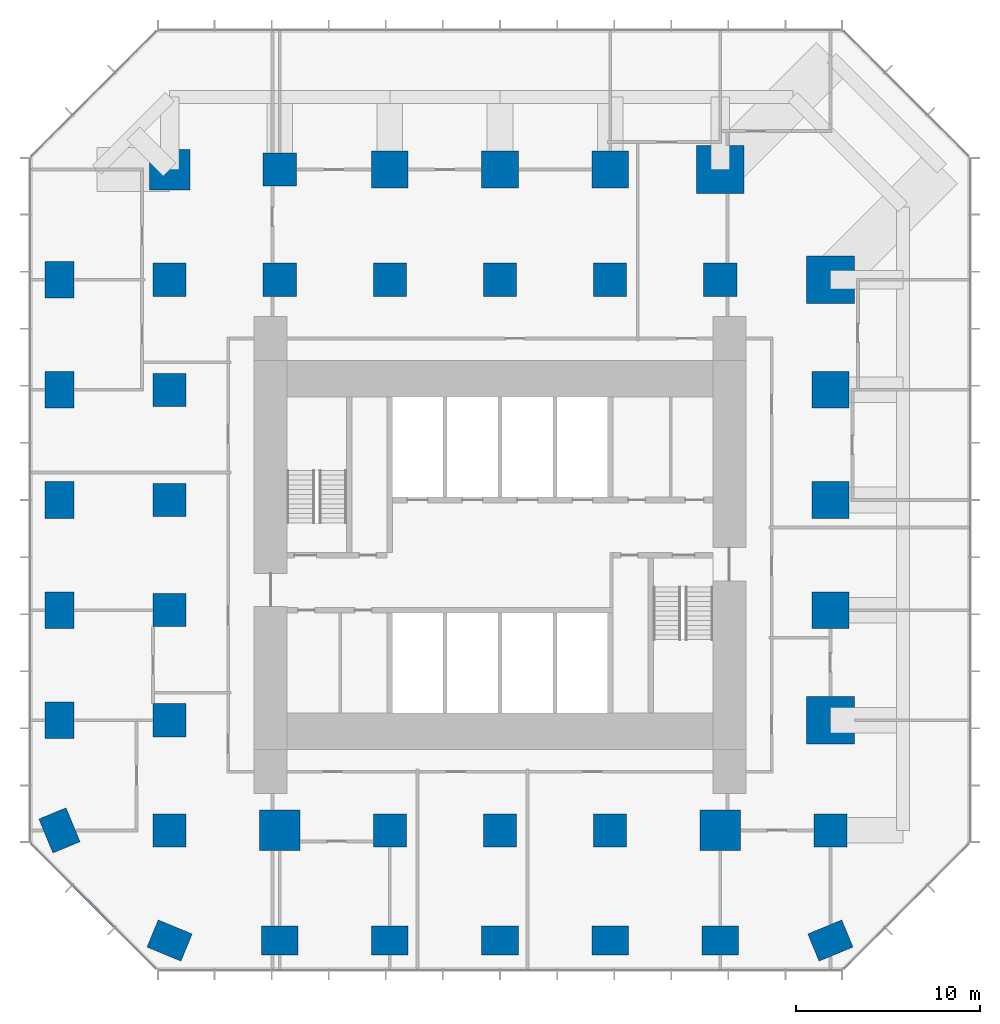
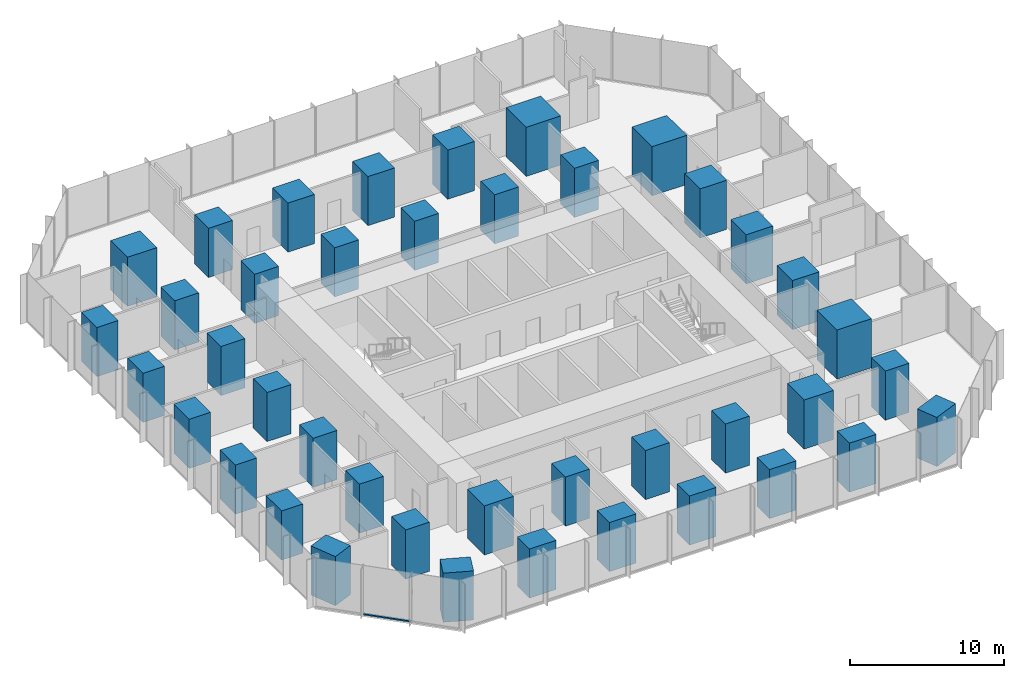
# One storey, part 1 of 12: 41 columns, 1 member, 1 element without a shape of its own.
"""IFC4 building model written with IfcOpenShell, lengths in metres."""

from ifc_helpers import new_model, si_unit, direction, frame, origin, origin_2d, place, context, subcontext, project, spatial, rectangle, extrude, material, layer, layer_set, material_profile, profile_set, type_object, element, aggregate, save


model = new_model("IFC4")

# Units and contexts
model_context = context("Model", 3, precision=1e-05, world=origin(), true_north=direction((0.0, 1.0)))
body_context = subcontext(model_context, "Body", "Model", "MODEL_VIEW")
ifc_project = project(units=[si_unit("LENGTHUNIT", "METRE"), si_unit("AREAUNIT", "SQUARE_METRE"), si_unit("VOLUMEUNIT", "CUBIC_METRE"), si_unit("PLANEANGLEUNIT", "RADIAN"), si_unit("MASSUNIT", "GRAM", prefix="KILO")], contexts=[model_context])

# Site, building, storey
site_placement = place(None, origin())
site = spatial("IfcSite", under=ifc_project, at=site_placement, CompositionType="ELEMENT")
building_placement = place(site_placement, origin())
building = spatial("IfcBuilding", under=site, at=building_placement, Name="Highveld Stack Headquarters", CompositionType="ELEMENT")
storey_placement = place(building_placement, frame((0.0, 0.0, 72.800048828125)))
storey = spatial("IfcBuildingStorey", under=building, at=storey_placement, Name="L17", CompositionType="ELEMENT", Elevation=72.800048828125)

# Columns
ifc_material_1 = material(Name="Concrete C60/75", Category="concrete")
ifc_material_profile_1 = material_profile(ifc_material_1, rectangle(XDim=1.800048828125, YDim=1.800048828125, at=origin_2d()), Name="RC 1800x1800")
ifc_profile_set_1 = profile_set([ifc_material_profile_1], Name="Concrete C60/75")
column_type_1 = type_object("IfcColumnType", Name="COLUMN RC 1800x1800 C60/75", PredefinedType="COLUMN", material=ifc_profile_set_1)
for number, where, z_axis, x_axis, name in (
    (1, (-12.0, -12.0, 0.0), (0.0, 0.0, 1.0), (1.0, 0.0, 0.0), "Column 4/C L17"),
    (2, (-12.0, -6.0, 0.0), (0.0, 0.0, 1.0), (1.0, 0.0, 0.0), "Column 4/D L17"),
    (3, (-12.0, 0.0, 0.0), (0.0, 0.0, 1.0), (1.0, 0.0, 0.0), "Column 4/E L17"),
    (4, (-12.0, 6.0, 0.0), (0.0, 0.0, 1.0), (1.0, 0.0, 0.0), "Column 4/F L17"),
    (5, (-12.0, 12.0, 0.0), (0.0, 0.0, 1.0), (1.0, 0.0, 0.0), "Column 4/G L17"),
    (6, (-12.0, 18.0, 0.0), (0.0, 0.0, 1.0), (1.0, 0.0, 0.0), "Column 4/H L17"),
    (7, (-6.0, 18.0, 0.0), (0.0, 0.0, 1.0), (1.0, 0.0, 0.0), "Column 5/H L17"),
    (8, (-6.0, 24.0, 0.0), (0.0, 0.0, 1.0), (1.0, 0.0, 0.0), "Column 5/J L17"),
    (9, (0.0, -12.0, 0.0), (0.0, 0.0, 1.0), (1.0, 0.0, 0.0), "Column 6/C L17"),
    (10, (0.0, 18.0, 0.0), (0.0, 0.0, 1.0), (1.0, 0.0, 0.0), "Column 6/H L17"),
    (11, (6.0, -12.0, 0.0), (0.0, 0.0, 1.0), (1.0, 0.0, 0.0), "Column 7/C L17"),
    (12, (6.0, 18.0, 0.0), (0.0, 0.0, 1.0), (1.0, 0.0, 0.0), "Column 7/H L17"),
    (13, (12.0, -12.0, 0.0), (0.0, 0.0, 1.0), (1.0, 0.0, 0.0), "Column 8/C L17"),
    (14, (12.0, 18.0, 0.0), (0.0, 0.0, 1.0), (1.0, 0.0, 0.0), "Column 8/H L17"),
    (15, (18.0, 18.0, 0.0), (0.0, 0.0, 1.0), (1.0, 0.0, 0.0), "Column 9/H L17"),
    (16, (24.0, -12.0, 0.0), (0.0, 0.0, 1.0), (1.0, 0.0, 0.0), "Column 10/C L17"),
):
    element("IfcColumn", number, at=place(storey_placement, frame(where, z_axis=z_axis, x_axis=x_axis)), inside=storey, type_object=column_type_1, Name=name, PredefinedType="COLUMN", context=body_context, shape_type="SweptSolid", body=[
        extrude(rectangle(XDim=1.800048828125, YDim=1.800048828125, at=origin_2d()), origin(), (0.0, 0.0, 1.0), 3.89990234375),
    ])
ifc_material_2 = material(Name="Concrete C60/75", Category="concrete")
ifc_material_profile_2 = material_profile(ifc_material_2, rectangle(XDim=2.0, YDim=1.60009765625, at=origin_2d()), Name="RC 2000x1600")
ifc_profile_set_2 = profile_set([ifc_material_profile_2], Name="Concrete C60/75")
column_type_2 = type_object("IfcColumnType", Name="COLUMN RC 2000x1600 C60/75", PredefinedType="COLUMN", material=ifc_profile_set_2)
for number, where, z_axis, x_axis, name in (
    (17, (-18.0, -12.0, 0.0), (0.0, 0.0, 1.0), (-0.382683432365, 0.923879532511, 0.0), "Column 3/C L17"),
    (18, (-18.0, -6.0, 0.0), (0.0, 0.0, 1.0), (0.0, 1.0, 0.0), "Column 3/D L17"),
    (19, (-18.0, 0.0, 0.0), (0.0, 0.0, 1.0), (0.0, 1.0, 0.0), "Column 3/E L17"),
    (20, (-18.0, 6.0, 0.0), (0.0, 0.0, 1.0), (0.0, 1.0, 0.0), "Column 3/F L17"),
    (21, (-18.0, 12.0, 0.0), (0.0, 0.0, 1.0), (0.0, 1.0, 0.0), "Column 3/G L17"),
    (22, (-18.0, 18.0, 0.0), (0.0, 0.0, 1.0), (0.0, 1.0, 0.0), "Column 3/H L17"),
    (23, (-12.0, -18.0, 0.0), (0.0, 0.0, 1.0), (-0.923879532511, 0.382683432365, 0.0), "Column 4/B L17"),
    (24, (-6.0, -18.0, 0.0), (0.0, 0.0, 1.0), (1.0, 0.0, 0.0), "Column 5/B L17"),
    (25, (0.0, -18.0, 0.0), (0.0, 0.0, 1.0), (1.0, 0.0, 0.0), "Column 6/B L17"),
    (26, (6.0, -18.0, 0.0), (0.0, 0.0, 1.0), (1.0, 0.0, 0.0), "Column 7/B L17"),
    (27, (12.0, -18.0, 0.0), (0.0, 0.0, 1.0), (1.0, 0.0, 0.0), "Column 8/B L17"),
    (28, (18.0, -18.0, 0.0), (0.0, 0.0, 1.0), (1.0, 0.0, 0.0), "Column 9/B L17"),
    (29, (24.0, -18.0, 0.0), (0.0, 0.0, 1.0), (-0.923879532511, -0.382683432365, 0.0), "Column 10/B L17"),
):
    element("IfcColumn", number, at=place(storey_placement, frame(where, z_axis=z_axis, x_axis=x_axis)), inside=storey, type_object=column_type_2, Name=name, PredefinedType="COLUMN", context=body_context, shape_type="SweptSolid", body=[
        extrude(rectangle(XDim=2.0, YDim=1.60009765625, at=origin_2d()), origin(), (0.0, 0.0, 1.0), 3.89990234375),
    ])
ifc_material_3 = material(Name="Concrete C60/75", Category="concrete")
ifc_material_profile_3 = material_profile(ifc_material_3, rectangle(XDim=2.0, YDim=2.0, at=origin_2d()), Name="RC 2000x2000")
ifc_profile_set_3 = profile_set([ifc_material_profile_3], Name="Concrete C60/75")
column_type_3 = type_object("IfcColumnType", Name="COLUMN RC 2000x2000 C60/75", PredefinedType="COLUMN", material=ifc_profile_set_3)
for number, where, z_axis, x_axis, name in (
    (30, (0.0, 24.0, 0.0), (0.0, 0.0, 1.0), (1.0, 0.0, 0.0), "Column 6/J L17"),
    (31, (6.0, 24.0, 0.0), (0.0, 0.0, 1.0), (1.0, 0.0, 0.0), "Column 7/J L17"),
    (32, (12.0, 24.0, 0.0), (0.0, 0.0, 1.0), (1.0, 0.0, 0.0), "Column 8/J L17"),
    (33, (24.0, 0.0, 0.0), (0.0, 0.0, 1.0), (1.0, 0.0, 0.0), "Column 10/E L17"),
    (34, (24.0, 6.0, 0.0), (0.0, 0.0, 1.0), (1.0, 0.0, 0.0), "Column 10/F L17"),
    (35, (24.0, 12.0, 0.0), (0.0, 0.0, 1.0), (1.0, 0.0, 0.0), "Column 10/G L17"),
):
    element("IfcColumn", number, at=place(storey_placement, frame(where, z_axis=z_axis, x_axis=x_axis)), inside=storey, type_object=column_type_3, Name=name, PredefinedType="COLUMN", context=body_context, shape_type="SweptSolid", body=[
        extrude(rectangle(XDim=2.0, YDim=2.0, at=origin_2d()), origin(), (0.0, 0.0, 1.0), 3.89990234375),
    ])
ifc_material_4 = material(Name="Concrete C60/75", Category="concrete")
ifc_material_profile_4 = material_profile(ifc_material_4, rectangle(XDim=2.199951171875, YDim=2.199951171875, at=origin_2d()), Name="RC 2200x2200")
ifc_profile_set_4 = profile_set([ifc_material_profile_4], Name="Concrete C60/75")
column_type_4 = type_object("IfcColumnType", Name="COLUMN RC 2200x2200 C60/75", PredefinedType="COLUMN", material=ifc_profile_set_4)
for number, where, z_axis, x_axis, name in (
    (36, (-12.0, 24.0, 0.0), (0.0, 0.0, 1.0), (1.0, 0.0, 0.0), "Column 4/J L17"),
    (37, (-6.0, -12.0, 0.0), (0.0, 0.0, 1.0), (1.0, 0.0, 0.0), "Column 5/C L17"),
    (38, (18.0, -12.0, 0.0), (0.0, 0.0, 1.0), (1.0, 0.0, 0.0), "Column 9/C L17"),
):
    element("IfcColumn", number, at=place(storey_placement, frame(where, z_axis=z_axis, x_axis=x_axis)), inside=storey, type_object=column_type_4, Name=name, PredefinedType="COLUMN", context=body_context, shape_type="SweptSolid", body=[
        extrude(rectangle(XDim=2.199951171875, YDim=2.199951171875, at=origin_2d()), origin(), (0.0, 0.0, 1.0), 3.89990234375),
    ])
ifc_material_5 = material(Name="Concrete C60/75", Category="concrete")
ifc_material_profile_5 = material_profile(ifc_material_5, rectangle(XDim=2.60009765625, YDim=2.60009765625, at=origin_2d()), Name="RC 2600x2600")
ifc_profile_set_5 = profile_set([ifc_material_profile_5], Name="Concrete C60/75")
column_type_5 = type_object("IfcColumnType", Name="COLUMN RC 2600x2600 C60/75", PredefinedType="COLUMN", material=ifc_profile_set_5)
for number, where, z_axis, x_axis, name in (
    (39, (18.0, 24.0, 0.0), (0.0, 0.0, 1.0), (1.0, 0.0, 0.0), "Column 9/J L17"),
    (40, (24.0, -6.0, 0.0), (0.0, 0.0, 1.0), (1.0, 0.0, 0.0), "Column 10/D L17"),
    (41, (24.0, 18.0, 0.0), (0.0, 0.0, 1.0), (1.0, 0.0, 0.0), "Column 10/H L17"),
):
    element("IfcColumn", number, at=place(storey_placement, frame(where, z_axis=z_axis, x_axis=x_axis)), inside=storey, type_object=column_type_5, Name=name, PredefinedType="COLUMN", context=body_context, shape_type="SweptSolid", body=[
        extrude(rectangle(XDim=2.60009765625, YDim=2.60009765625, at=origin_2d()), origin(), (0.0, 0.0, 1.0), 3.89990234375),
    ])

# Curtain wall, member
ifc_material_6 = material(Name="Aluminium bronze anodised", Category="aluminium")
ifc_layer = layer(ifc_material_6, 0.199951171875)
ifc_layer_set = layer_set([ifc_layer], Name="Aluminium bronze anodised")
curtain_wall_type = type_object("IfcCurtainWallType", Name="CW2 TOWER CHAMFER UNITISED CURTAIN WALL", PredefinedType="NOTDEFINED", material=ifc_layer_set)
curtain_wall_placement = place(storey_placement, origin())
curtain_wall = element("IfcCurtainWall", 42, at=curtain_wall_placement, inside=storey, type_object=curtain_wall_type, Name="Curtain wall CW2 L17 SW", PredefinedType="NOTDEFINED")
ifc_material_7 = material(Name="Aluminium bronze anodised", Category="aluminium")
ifc_material_profile_6 = material_profile(ifc_material_7, rectangle(XDim=0.14990234375, YDim=0.10009765625, at=origin_2d()), Name="CW2 TRANSOM 150x100")
ifc_profile_set_6 = profile_set([ifc_material_profile_6], Name="Aluminium bronze anodised")
member_type = type_object("IfcMemberType", Name="CW2 STACK TRANSOM 150x100", PredefinedType="USERDEFINED", material=ifc_profile_set_6)
member_placement = place(storey_placement, frame((-17.2646484375, -14.998046875, 0.050048828125), z_axis=(0.707106781187, -0.707106781187, 0.0), x_axis=(0.707106781187, 0.707106781187, 0.0)))
member = element("IfcMember", 43, at=member_placement, type_object=member_type, Name="CW2 transom L17 2.1", ObjectType="TRANSOM", PredefinedType="USERDEFINED", context=body_context, shape_type="SweptSolid", body=[
    extrude(rectangle(XDim=0.14990234375, YDim=0.10009765625, at=origin_2d()), origin(), (0.0, 0.0, 1.0), 3.20556640625),
])
aggregate(curtain_wall, [member])

save(model, "model.ifc")
